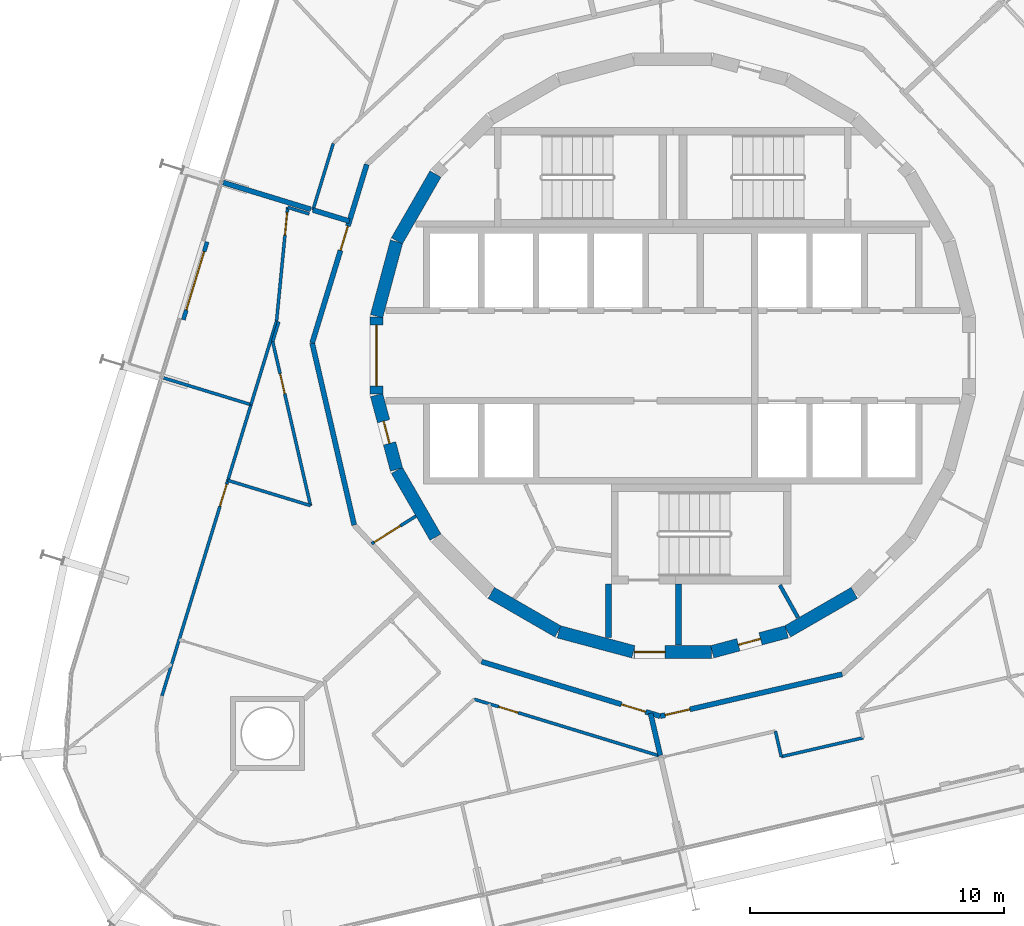
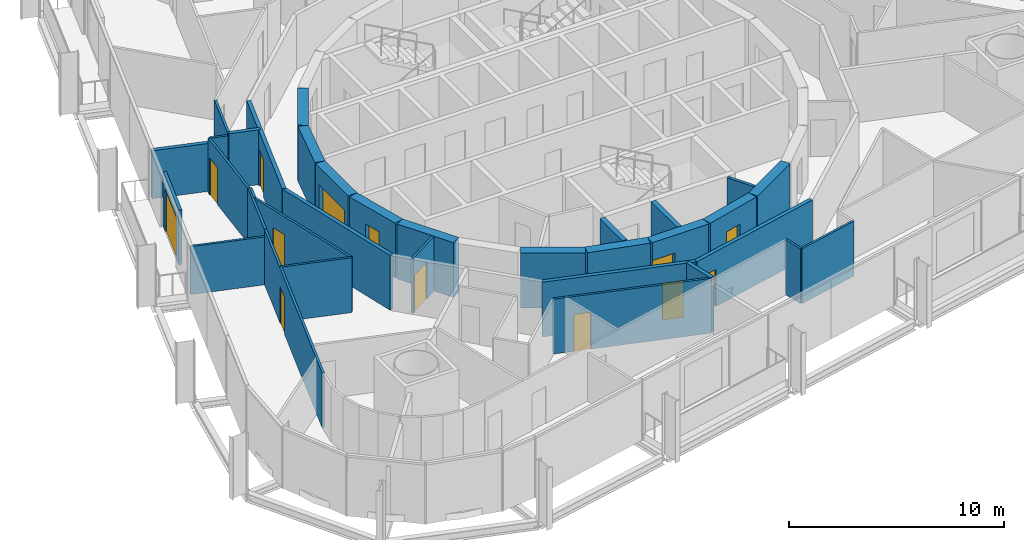
# One storey, part 12 of 18: 34 walls, 13 doors, 13 openings.
"""IFC4 building model written with IfcOpenShell, lengths in metres."""

from ifc_helpers import new_model, si_unit, direction, frame, frame_2d, origin, place, context, subcontext, project, spatial, rectangle, extrude, material, layer, layer_set, type_object, element, fill, save


model = new_model("IFC4")

# Units and contexts
model_context = context("Model", 3, precision=1e-05, world=origin(), true_north=direction((0.0, 1.0)))
body_context = subcontext(model_context, "Body", "Model", "MODEL_VIEW")
ifc_project = project(units=[si_unit("LENGTHUNIT", "METRE"), si_unit("AREAUNIT", "SQUARE_METRE"), si_unit("VOLUMEUNIT", "CUBIC_METRE"), si_unit("PLANEANGLEUNIT", "RADIAN"), si_unit("MASSUNIT", "GRAM", prefix="KILO")], contexts=[model_context])

# Site, building, storey
site_placement = place(None, origin())
site = spatial("IfcSite", under=ifc_project, at=site_placement, CompositionType="ELEMENT")
building_placement = place(site_placement, origin())
building = spatial("IfcBuilding", under=site, at=building_placement, Name="Spindle Arch Residences", CompositionType="ELEMENT")
storey_placement = place(building_placement, frame((0.0, 0.0, 134.39990234375)))
storey = spatial("IfcBuildingStorey", under=building, at=storey_placement, Name="L33", CompositionType="ELEMENT", Elevation=134.39990234375)

# Wall, opening, door
ifc_material_1 = material(Name="Concrete C50/60", Category="concrete")
ifc_layer_1 = layer(ifc_material_1, 0.5)
ifc_layer_set_1 = layer_set([ifc_layer_1], Name="Core outline wall 500")
wall_type_1 = type_object("IfcWallType", Name="Core outline wall 500", PredefinedType="SHEAR", material=ifc_layer_set_1)
wall_1_placement = place(storey_placement, frame((1.5498046875, -11.642822265625, 0.0), z_axis=(0.0, 0.0, 1.0), x_axis=(0.965948410781, 0.258734743916, 0.0)))
wall_1 = element("IfcWall", 1, at=wall_1_placement, inside=storey, type_object=wall_type_1, Name="Core outline wall 1", PredefinedType="SHEAR", context=body_context, shape_type="SweptSolid", body=[
    extrude(rectangle(XDim=3.03271484375, YDim=0.5, at=frame_2d((1.516357421875, 0.0))), origin(), (0.0, 0.0, 1.0), 3.1201171875),
])
opening_1_placement = place(wall_1_placement, frame((1.06640625, 0.0, 0.0)))
opening_1 = element("IfcOpeningElement", 2, at=opening_1_placement, cuts=wall_1, Name="Opening R3C0-WD08", PredefinedType="OPENING", context=body_context, shape_type="SweptSolid", body=[
    extrude(rectangle(XDim=0.89990234375, YDim=2.10009765625, at=frame_2d((0.449951171875, 1.050048828125))), frame((0.0, 0.260009765625, 0.0), z_axis=(0.0, -1.0, 0.0), x_axis=(1.0, 0.0, 0.0)), (0.0, 0.0, 1.0), 0.52001953125),
])
ifc_material_2 = material(Name="Steel, fire-resisting door", Category="steel")
door_type_1 = type_object("IfcDoorType", Name="Service room door 900x2100", OperationType="SINGLE_SWING_LEFT", PredefinedType="DOOR", material=ifc_material_2)
door_1_placement = place(opening_1_placement, origin())
door_1 = element("IfcDoor", 3, at=door_1_placement, inside=storey, type_object=door_type_1, Name="Service room door R3C0-WD08", OperationType="SINGLE_SWING_LEFT", OverallHeight=2.10009765625, OverallWidth=0.89990234375, PredefinedType="DOOR", context=body_context, shape_type="SweptSolid", body=[
    extrude(rectangle(XDim=0.89990234375, YDim=2.10009765625, at=frame_2d((0.449951171875, 1.050048828125))), frame((0.0, 0.02490234375, 0.0), z_axis=(0.0, -1.0, 0.0), x_axis=(1.0, 0.0, 0.0)), (0.0, 0.0, 1.0), 0.050048828125),
])
fill(opening_1, door_1)

# Walls
for number, where, z_axis, x_axis, name in (
    (4, (4.510498046875, -10.84521484375, 0.0), (0.0, 0.0, 1.0), (0.865975092491, 0.500087131594, 0.0), "Core outline wall 2"),
    (5, (-9.32861328125, 7.13671875, 0.0), (0.0, 0.0, 1.0), (-0.500087131594, -0.865975092491, 0.0), "Core outline wall 16"),
    (6, (-10.858154296875, 4.479248046875, 0.0), (0.0, 0.0, 1.0), (-0.258734743916, -0.965948410781, 0.0), "Core outline wall 17"),
):
    element("IfcWall", number, at=place(storey_placement, frame(where, z_axis=z_axis, x_axis=x_axis)), inside=storey, type_object=wall_type_1, Name=name, PredefinedType="SHEAR", context=body_context, shape_type="SweptSolid", body=[
        extrude(rectangle(XDim=3.03271484375, YDim=0.5, at=frame_2d((1.516357421875, 0.0))), origin(), (0.0, 0.0, 1.0), 3.1201171875),
    ])

# Wall, opening, door
wall_2_placement = place(storey_placement, frame((-11.647216796875, 1.516357421875, 0.0), z_axis=(0.0, 0.0, 1.0), x_axis=(0.0, -1.0, 0.0)))
wall_2 = element("IfcWall", 7, at=wall_2_placement, inside=storey, type_object=wall_type_1, Name="Core outline wall 18", PredefinedType="SHEAR", context=body_context, shape_type="SweptSolid", body=[
    extrude(rectangle(XDim=3.03271484375, YDim=0.5, at=frame_2d((1.516357421875, 0.0))), origin(), (0.0, 0.0, 1.0), 3.1201171875),
])
opening_2_placement = place(wall_2_placement, frame((0.31640625, 0.0, 0.0)))
opening_2 = element("IfcOpeningElement", 8, at=opening_2_placement, cuts=wall_2, Name="Opening R3C0-LE01", PredefinedType="OPENING", context=body_context, shape_type="SweptSolid", body=[
    extrude(rectangle(XDim=2.39990234375, YDim=2.10009765625, at=frame_2d((1.199951171875, 1.050048828125))), frame((0.0, 0.260009765625, 0.0), z_axis=(0.0, -1.0, 0.0), x_axis=(1.0, 0.0, 0.0)), (0.0, 0.0, 1.0), 0.52001953125),
])
ifc_material_3 = material(Name="Steel, fire-resisting door", Category="steel")
door_type_2 = type_object("IfcDoorType", Name="Lift lobby entrance door 2400x2100", OperationType="DOUBLE_DOOR_SINGLE_SWING", PredefinedType="DOOR", material=ifc_material_3)
door_2_placement = place(opening_2_placement, origin())
door_2 = element("IfcDoor", 9, at=door_2_placement, inside=storey, type_object=door_type_2, Name="Lift lobby entrance door R3C0-LE01", OperationType="DOUBLE_DOOR_SINGLE_SWING", OverallHeight=2.10009765625, OverallWidth=2.39990234375, PredefinedType="DOOR", context=body_context, shape_type="SweptSolid", body=[
    extrude(rectangle(XDim=2.39990234375, YDim=2.10009765625, at=frame_2d((1.199951171875, 1.050048828125))), frame((0.0, 0.02490234375, 0.0), z_axis=(0.0, -1.0, 0.0), x_axis=(1.0, 0.0, 0.0)), (0.0, 0.0, 1.0), 0.050048828125),
])
fill(opening_2, door_2)

wall_3_placement = place(storey_placement, frame((-11.642822265625, -1.5498046875, 0.0), z_axis=(0.0, 0.0, 1.0), x_axis=(0.258734743916, -0.965948410781, 0.0)))
wall_3 = element("IfcWall", 10, at=wall_3_placement, inside=storey, type_object=wall_type_1, Name="Core outline wall 19", PredefinedType="SHEAR", context=body_context, shape_type="SweptSolid", body=[
    extrude(rectangle(XDim=3.03271484375, YDim=0.5, at=frame_2d((1.516357421875, 0.0))), origin(), (0.0, 0.0, 1.0), 3.1201171875),
])
opening_3_placement = place(wall_3_placement, frame((1.06640625, 0.0, 0.0)))
opening_3 = element("IfcOpeningElement", 11, at=opening_3_placement, cuts=wall_3, Name="Opening R3C0-WD09", PredefinedType="OPENING", context=body_context, shape_type="SweptSolid", body=[
    extrude(rectangle(XDim=0.89990234375, YDim=2.10009765625, at=frame_2d((0.449951171875, 1.050048828125))), frame((0.0, 0.260009765625, 0.0), z_axis=(0.0, -1.0, 0.0), x_axis=(1.0, 0.0, 0.0)), (0.0, 0.0, 1.0), 0.52001953125),
])
door_3_placement = place(opening_3_placement, origin())
door_3 = element("IfcDoor", 12, at=door_3_placement, inside=storey, type_object=door_type_1, Name="Service room door R3C0-WD09", OperationType="SINGLE_SWING_RIGHT", OverallHeight=2.10009765625, OverallWidth=0.89990234375, PredefinedType="DOOR", context=body_context, shape_type="SweptSolid", body=[
    extrude(rectangle(XDim=0.89990234375, YDim=2.10009765625, at=frame_2d((0.449951171875, 1.050048828125))), frame((0.0, 0.02490234375, 0.0), z_axis=(0.0, -1.0, 0.0), x_axis=(1.0, 0.0, 0.0)), (0.0, 0.0, 1.0), 0.050048828125),
])
fill(opening_3, door_3)

# Walls
for number, where, z_axis, x_axis, name in (
    (13, (-10.84521484375, -4.510498046875, 0.0), (0.0, 0.0, 1.0), (0.500087131594, -0.865975092491, 0.0), "Core outline wall 20"),
    (14, (-7.13671875, -9.32861328125, 0.0), (0.0, 0.0, 1.0), (0.865975092491, -0.500087131594, 0.0), "Core outline wall 22"),
    (15, (-4.479248046875, -10.858154296875, 0.0), (0.0, 0.0, 1.0), (0.965948410781, -0.258734743916, 0.0), "Core outline wall 23"),
):
    element("IfcWall", number, at=place(storey_placement, frame(where, z_axis=z_axis, x_axis=x_axis)), inside=storey, type_object=wall_type_1, Name=name, PredefinedType="SHEAR", context=body_context, shape_type="SweptSolid", body=[
        extrude(rectangle(XDim=3.03271484375, YDim=0.5, at=frame_2d((1.516357421875, 0.0))), origin(), (0.0, 0.0, 1.0), 3.1201171875),
    ])

# Wall, opening, door
wall_4_placement = place(storey_placement, frame((-1.516357421875, -11.647216796875, 0.0), z_axis=(0.0, 0.0, 1.0), x_axis=(1.0, 0.0, 0.0)))
wall_4 = element("IfcWall", 16, at=wall_4_placement, inside=storey, type_object=wall_type_1, Name="Core outline wall 24", PredefinedType="SHEAR", context=body_context, shape_type="SweptSolid", body=[
    extrude(rectangle(XDim=3.03271484375, YDim=0.5, at=frame_2d((1.516357421875, 0.0))), origin(), (0.0, 0.0, 1.0), 3.1201171875),
])
opening_4_placement = place(wall_4_placement, frame((0.016357421875, 0.0, 0.0)))
opening_4 = element("IfcOpeningElement", 17, at=opening_4_placement, cuts=wall_4, Name="Opening R3C0-AD03", PredefinedType="OPENING", context=body_context, shape_type="SweptSolid", body=[
    extrude(rectangle(XDim=1.199951171875, YDim=2.10009765625, at=frame_2d((0.60009765625, 1.050048828125))), frame((0.0, 0.260009765625, 0.0), z_axis=(0.0, -1.0, 0.0), x_axis=(1.0, 0.0, 0.0)), (0.0, 0.0, 1.0), 0.52001953125),
])
ifc_material_4 = material(Name="Steel, fire-resisting door", Category="steel")
door_type_3 = type_object("IfcDoorType", Name="Stair airlock door 1200x2100", OperationType="SINGLE_SWING_LEFT", PredefinedType="DOOR", material=ifc_material_4)
door_4_placement = place(opening_4_placement, origin())
door_4 = element("IfcDoor", 18, at=door_4_placement, inside=storey, type_object=door_type_3, Name="Stair airlock door R3C0-AD03", OperationType="SINGLE_SWING_RIGHT", OverallHeight=2.10009765625, OverallWidth=1.199951171875, PredefinedType="DOOR", context=body_context, shape_type="SweptSolid", body=[
    extrude(rectangle(XDim=1.199951171875, YDim=2.10009765625, at=frame_2d((0.60009765625, 1.050048828125))), frame((0.0, 0.02490234375, 0.0), z_axis=(0.0, -1.0, 0.0), x_axis=(1.0, 0.0, 0.0)), (0.0, 0.0, 1.0), 0.050048828125),
])
fill(opening_4, door_4)

ifc_material_5 = material(Name="Plasterboard on steel studs", Category="steel")
ifc_layer_2 = layer(ifc_material_5, 0.1201171875)
ifc_layer_set_2 = layer_set([ifc_layer_2], Name="Corridor division wall 120")
wall_type_2 = type_object("IfcWallType", Name="Corridor division wall 120", PredefinedType="PARTITIONING", material=ifc_layer_set_2)
wall_5_placement = place(storey_placement, frame((-11.835693359375, -7.395751953125, 0.0), z_axis=(0.0, 0.0, 1.0), x_axis=(0.848071831599, 0.529881277692, 0.0)))
wall_5 = element("IfcWall", 19, at=wall_5_placement, inside=storey, type_object=wall_type_2, Name="Corridor division wall R3C0-W003", PredefinedType="PARTITIONING", context=body_context, shape_type="SweptSolid", body=[
    extrude(rectangle(XDim=2.0517578125, YDim=0.1201171875, at=frame_2d((1.02587890625, 0.0))), origin(), (0.0, 0.0, 1.0), 3.1201171875),
])
opening_5_placement = place(wall_5_placement, frame((0.125, 0.0, 0.0)))
opening_5 = element("IfcOpeningElement", 20, at=opening_5_placement, cuts=wall_5, Name="Opening R3C0-CD03", PredefinedType="OPENING", context=body_context, shape_type="SweptSolid", body=[
    extrude(rectangle(XDim=1.199951171875, YDim=2.10009765625, at=frame_2d((0.60009765625, 1.050048828125))), frame((0.0, 0.070068359375, 0.0), z_axis=(0.0, -1.0, 0.0), x_axis=(1.0, 0.0, 0.0)), (0.0, 0.0, 1.0), 0.14013671875),
])
ifc_material_6 = material(Name="Steel, fire-resisting door", Category="steel")
door_type_4 = type_object("IfcDoorType", Name="Corridor division door 1200x2100", OperationType="NOTDEFINED", PredefinedType="DOOR", material=ifc_material_6)
door_5_placement = place(opening_5_placement, origin())
door_5 = element("IfcDoor", 21, at=door_5_placement, inside=storey, type_object=door_type_4, Name="Corridor division door R3C0-CD03", OperationType="DOUBLE_DOOR_SINGLE_SWING", OverallHeight=2.10009765625, OverallWidth=1.199951171875, PredefinedType="DOOR", context=body_context, shape_type="SweptSolid", body=[
    extrude(rectangle(XDim=1.199951171875, YDim=2.10009765625, at=frame_2d((0.60009765625, 1.050048828125))), frame((0.0, 0.02490234375, 0.0), z_axis=(0.0, -1.0, 0.0), x_axis=(1.0, 0.0, 0.0)), (0.0, 0.0, 1.0), 0.050048828125),
])
fill(opening_5, door_5)

ifc_material_7 = material(Name="Calcium silicate block, plastered")
ifc_layer_3 = layer(ifc_material_7, 0.199951171875)
ifc_layer_set_3 = layer_set([ifc_layer_3], Name="Corridor wall 200")
wall_type_3 = type_object("IfcWallType", Name="Corridor wall 200", PredefinedType="STANDARD", material=ifc_layer_set_3)
wall_6_placement = place(storey_placement, frame((-12.028076171875, 7.51611328125, 0.0), z_axis=(0.0, 0.0, 1.0), x_axis=(-0.292365533182, -0.956306642771, 0.0)))
wall_6 = element("IfcWall", 22, at=wall_6_placement, inside=storey, type_object=wall_type_3, Name="Corridor wall R3C0-W010", PredefinedType="STANDARD", context=body_context, shape_type="SweptSolid", body=[
    extrude(rectangle(XDim=7.341796875, YDim=0.199951171875, at=frame_2d((3.6708984375, 0.0))), origin(), (0.0, 0.0, 1.0), 3.1201171875),
])
opening_6_placement = place(wall_6_placement, frame((2.53271484375, 0.0, 0.0)))
opening_6 = element("IfcOpeningElement", 23, at=opening_6_placement, cuts=wall_6, Name="Opening R3C0-FD04", PredefinedType="OPENING", context=body_context, shape_type="SweptSolid", body=[
    extrude(rectangle(XDim=1.0, YDim=2.10009765625, at=frame_2d((0.5, 1.050048828125))), frame((0.0, 0.10986328125, 0.0), z_axis=(0.0, -1.0, 0.0), x_axis=(1.0, 0.0, 0.0)), (0.0, 0.0, 1.0), 0.219970703125),
])
ifc_material_8 = material(Name="Timber, fire-resisting door set", Category="wood")
door_type_5 = type_object("IfcDoorType", Name="Flat entrance door 1000x2100", OperationType="NOTDEFINED", PredefinedType="DOOR", material=ifc_material_8)
door_6_placement = place(opening_6_placement, origin())
door_6 = element("IfcDoor", 24, at=door_6_placement, inside=storey, type_object=door_type_5, Name="Flat entrance door R3C0-FD04", OperationType="SINGLE_SWING_LEFT", OverallHeight=2.10009765625, OverallWidth=1.0, PredefinedType="DOOR", context=body_context, shape_type="SweptSolid", body=[
    extrude(rectangle(XDim=1.0, YDim=2.10009765625, at=frame_2d((0.5, 1.050048828125))), frame((0.0, 0.02490234375, 0.0), z_axis=(0.0, -1.0, 0.0), x_axis=(1.0, 0.0, 0.0)), (0.0, 0.0, 1.0), 0.050048828125),
])
fill(opening_6, door_6)

# Wall
wall_7_placement = place(storey_placement, frame((-14.174560546875, 0.4951171875, 0.0), z_axis=(0.0, 0.0, 1.0), x_axis=(0.224922649383, -0.974376622151, 0.0)))
element("IfcWall", 25, at=wall_7_placement, inside=storey, type_object=wall_type_3, Name="Corridor wall R3C0-W011", PredefinedType="STANDARD", context=body_context, shape_type="SweptSolid", body=[
    extrude(rectangle(XDim=7.342041015625, YDim=0.199951171875, at=frame_2d((3.6708984375, 0.0))), origin(), (0.0, 0.0, 1.0), 3.1201171875),
])

# Wall, opening, door
wall_8_placement = place(storey_placement, frame((-7.51611328125, -12.028076171875, 0.0), z_axis=(0.0, 0.0, 1.0), x_axis=(0.956306642771, -0.292365533182, 0.0)))
wall_8 = element("IfcWall", 26, at=wall_8_placement, inside=storey, type_object=wall_type_3, Name="Corridor wall R3C0-W013", PredefinedType="STANDARD", context=body_context, shape_type="SweptSolid", body=[
    extrude(rectangle(XDim=7.341796875, YDim=0.199951171875, at=frame_2d((3.6708984375, 0.0))), origin(), (0.0, 0.0, 1.0), 3.1201171875),
])
opening_7_placement = place(wall_8_placement, frame((5.7451171875, 0.0, 0.0)))
opening_7 = element("IfcOpeningElement", 27, at=opening_7_placement, cuts=wall_8, Name="Opening R3C0-FD05", PredefinedType="OPENING", context=body_context, shape_type="SweptSolid", body=[
    extrude(rectangle(XDim=1.0, YDim=2.10009765625, at=frame_2d((0.5, 1.050048828125))), frame((0.0, 0.10986328125, 0.0), z_axis=(0.0, -1.0, 0.0), x_axis=(1.0, 0.0, 0.0)), (0.0, 0.0, 1.0), 0.219970703125),
])
door_7_placement = place(opening_7_placement, origin())
door_7 = element("IfcDoor", 28, at=door_7_placement, inside=storey, type_object=door_type_5, Name="Flat entrance door R3C0-FD05", OperationType="SINGLE_SWING_LEFT", OverallHeight=2.10009765625, OverallWidth=1.0, PredefinedType="DOOR", context=body_context, shape_type="SweptSolid", body=[
    extrude(rectangle(XDim=1.0, YDim=2.10009765625, at=frame_2d((0.5, 1.050048828125))), frame((0.0, 0.02490234375, 0.0), z_axis=(0.0, -1.0, 0.0), x_axis=(1.0, 0.0, 0.0)), (0.0, 0.0, 1.0), 0.050048828125),
])
fill(opening_7, door_7)

wall_9_placement = place(storey_placement, frame((-0.4951171875, -14.174560546875, 0.0), z_axis=(0.0, 0.0, 1.0), x_axis=(0.974376622151, 0.224922649383, 0.0)))
wall_9 = element("IfcWall", 29, at=wall_9_placement, inside=storey, type_object=wall_type_3, Name="Corridor wall R3C0-W014", PredefinedType="STANDARD", context=body_context, shape_type="SweptSolid", body=[
    extrude(rectangle(XDim=7.342041015625, YDim=0.199951171875, at=frame_2d((3.6708984375, 0.0))), origin(), (0.0, 0.0, 1.0), 3.1201171875),
])
opening_8_placement = place(wall_9_placement, frame((0.199951171875, 0.0, 0.0)))
opening_8 = element("IfcOpeningElement", 30, at=opening_8_placement, cuts=wall_9, Name="Opening R3C0-FD06", PredefinedType="OPENING", context=body_context, shape_type="SweptSolid", body=[
    extrude(rectangle(XDim=1.0, YDim=2.10009765625, at=frame_2d((0.5, 1.050048828125))), frame((0.0, 0.10986328125, 0.0), z_axis=(0.0, -1.0, 0.0), x_axis=(1.0, 0.0, 0.0)), (0.0, 0.0, 1.0), 0.219970703125),
])
door_8_placement = place(opening_8_placement, origin())
door_8 = element("IfcDoor", 31, at=door_8_placement, inside=storey, type_object=door_type_5, Name="Flat entrance door R3C0-FD06", OperationType="SINGLE_SWING_LEFT", OverallHeight=2.10009765625, OverallWidth=1.0, PredefinedType="DOOR", context=body_context, shape_type="SweptSolid", body=[
    extrude(rectangle(XDim=1.0, YDim=2.10009765625, at=frame_2d((0.5, 1.050048828125))), frame((0.0, 0.02490234375, 0.0), z_axis=(0.0, -1.0, 0.0), x_axis=(1.0, 0.0, 0.0)), (0.0, 0.0, 1.0), 0.050048828125),
])
fill(opening_8, door_8)

# Walls
ifc_material_9 = material(Name="Plasterboard on steel studs", Category="steel")
ifc_layer_4 = layer(ifc_material_9, 0.1201171875)
ifc_layer_set_4 = layer_set([ifc_layer_4], Name="Flat partition 120")
wall_type_4 = type_object("IfcWallType", Name="Flat partition 120", PredefinedType="PARTITIONING", material=ifc_layer_set_4)
wall_10_placement = place(storey_placement, frame((-13.34521484375, 8.3388671875, 0.0), z_axis=(0.0, 0.0, 1.0), x_axis=(-0.292316072367, -0.956321762712, 0.0)))
element("IfcWall", 32, at=wall_10_placement, inside=storey, type_object=wall_type_4, Name="Flat partition R3C0-W063", PredefinedType="PARTITIONING", context=body_context, shape_type="SweptSolid", body=[
    extrude(rectangle(XDim=2.734375, YDim=0.1201171875, at=frame_2d((1.3671875, 0.0))), origin(), (0.0, 0.0, 1.0), 3.1201171875),
])
wall_11_placement = place(storey_placement, frame((-14.287353515625, 5.567626953125, 0.0), z_axis=(0.0, 0.0, 1.0), x_axis=(-0.956287662261, 0.292427609859, 0.0)))
element("IfcWall", 33, at=wall_11_placement, inside=storey, type_object=wall_type_4, Name="Flat partition R3C0-W074", PredefinedType="PARTITIONING", context=body_context, shape_type="SweptSolid", body=[
    extrude(rectangle(XDim=0.889892578125, YDim=0.1201171875, at=frame_2d((0.44482421875, 0.0))), origin(), (0.0, 0.0, 1.0), 3.1201171875),
])

# Wall, opening, door
wall_12_placement = place(storey_placement, frame((-15.138427734375, 5.827880859375, 0.0), z_axis=(0.0, 0.0, 1.0), x_axis=(-0.096967255409, -0.995287572201, 0.0)))
wall_12 = element("IfcWall", 34, at=wall_12_placement, inside=storey, type_object=wall_type_4, Name="Flat partition R3C0-W075", PredefinedType="PARTITIONING", context=body_context, shape_type="SweptSolid", body=[
    extrude(rectangle(XDim=4.4892578125, YDim=0.1201171875, at=frame_2d((2.24462890625, 0.0))), origin(), (0.0, 0.0, 1.0), 3.1201171875),
])
opening_9_placement = place(wall_12_placement, frame((0.199951171875, 0.0, 0.0)))
opening_9 = element("IfcOpeningElement", 35, at=opening_9_placement, cuts=wall_12, Name="Opening R3C0-ID18", PredefinedType="OPENING", context=body_context, shape_type="SweptSolid", body=[
    extrude(rectangle(XDim=0.89990234375, YDim=2.10009765625, at=frame_2d((0.449951171875, 1.050048828125))), frame((0.0, 0.070068359375, 0.0), z_axis=(0.0, -1.0, 0.0), x_axis=(1.0, 0.0, 0.0)), (0.0, 0.0, 1.0), 0.14013671875),
])
ifc_material_10 = material(Name="Timber door set", Category="wood")
door_type_6 = type_object("IfcDoorType", Name="Room door 900x2100", OperationType="NOTDEFINED", PredefinedType="DOOR", material=ifc_material_10)
door_9_placement = place(opening_9_placement, origin())
door_9 = element("IfcDoor", 36, at=door_9_placement, inside=storey, type_object=door_type_6, Name="Room door R3C0-ID18", OperationType="SINGLE_SWING_LEFT", OverallHeight=2.10009765625, OverallWidth=0.89990234375, PredefinedType="DOOR", context=body_context, shape_type="SweptSolid", body=[
    extrude(rectangle(XDim=0.89990234375, YDim=2.10009765625, at=frame_2d((0.449951171875, 1.050048828125))), frame((0.0, 0.02490234375, 0.0), z_axis=(0.0, -1.0, 0.0), x_axis=(1.0, 0.0, 0.0)), (0.0, 0.0, 1.0), 0.050048828125),
])
fill(opening_9, door_9)

# Wall
wall_13_placement = place(storey_placement, frame((-15.48681640625, 1.33349609375, 0.0), z_axis=(0.0, 0.0, 1.0), x_axis=(-0.2923698127, -0.956305334411, 0.0)))
element("IfcWall", 37, at=wall_13_placement, inside=storey, type_object=wall_type_4, Name="Flat partition R3C0-W076", PredefinedType="PARTITIONING", context=body_context, shape_type="SweptSolid", body=[
    extrude(rectangle(XDim=0.820068359375, YDim=0.1201171875, at=frame_2d((0.41015625, 0.0))), origin(), (0.0, 0.0, 1.0), 3.1201171875),
])

# Wall, opening, door
wall_14_placement = place(storey_placement, frame((-15.7265625, 0.54931640625, 0.0), z_axis=(0.0, 0.0, 1.0), x_axis=(0.224948441297, -0.974370668051, 0.0)))
wall_14 = element("IfcWall", 38, at=wall_14_placement, inside=storey, type_object=wall_type_4, Name="Flat partition R3C0-W077", PredefinedType="PARTITIONING", context=body_context, shape_type="SweptSolid", body=[
    extrude(rectangle(XDim=6.6162109375, YDim=0.1201171875, at=frame_2d((3.30810546875, 0.0))), origin(), (0.0, 0.0, 1.0), 3.1201171875),
])
opening_10_placement = place(wall_14_placement, frame((1.300048828125, 0.0, 0.0)))
opening_10 = element("IfcOpeningElement", 39, at=opening_10_placement, cuts=wall_14, Name="Opening R3C0-BD04", PredefinedType="OPENING", context=body_context, shape_type="SweptSolid", body=[
    extrude(rectangle(XDim=0.800048828125, YDim=2.10009765625, at=frame_2d((0.39990234375, 1.050048828125))), frame((0.0, 0.070068359375, 0.0), z_axis=(0.0, -1.0, 0.0), x_axis=(1.0, 0.0, 0.0)), (0.0, 0.0, 1.0), 0.14013671875),
])
ifc_material_11 = material(Name="Timber door set", Category="wood")
door_type_7 = type_object("IfcDoorType", Name="Bathroom door 800x2100", OperationType="NOTDEFINED", PredefinedType="DOOR", material=ifc_material_11)
door_10_placement = place(opening_10_placement, origin())
door_10 = element("IfcDoor", 40, at=door_10_placement, inside=storey, type_object=door_type_7, Name="Bathroom door R3C0-BD04", OperationType="SINGLE_SWING_RIGHT", OverallHeight=2.10009765625, OverallWidth=0.800048828125, PredefinedType="DOOR", context=body_context, shape_type="SweptSolid", body=[
    extrude(rectangle(XDim=0.800048828125, YDim=2.10009765625, at=frame_2d((0.39990234375, 1.050048828125))), frame((0.0, 0.02490234375, 0.0), z_axis=(0.0, -1.0, 0.0), x_axis=(1.0, 0.0, 0.0)), (0.0, 0.0, 1.0), 0.050048828125),
])
fill(opening_10, door_10)

# Wall
wall_15_placement = place(storey_placement, frame((-14.23828125, -5.897216796875, 0.0), z_axis=(0.0, 0.0, 1.0), x_axis=(-0.956314762513, 0.292338972768, 0.0)))
element("IfcWall", 41, at=wall_15_placement, inside=storey, type_object=wall_type_4, Name="Flat partition R3C0-W078", PredefinedType="PARTITIONING", context=body_context, shape_type="SweptSolid", body=[
    extrude(rectangle(XDim=3.39892578125, YDim=0.1201171875, at=frame_2d((1.699462890625, 0.0))), origin(), (0.0, 0.0, 1.0), 3.1201171875),
])

# Wall, opening, door
wall_16_placement = place(storey_placement, frame((-16.5791015625, -1.927978515625, 0.0), z_axis=(0.0, 0.0, 1.0), x_axis=(-0.29236733738, -0.956306091183, 0.0)))
wall_16 = element("IfcWall", 42, at=wall_16_placement, inside=storey, type_object=wall_type_4, Name="Flat partition R3C0-W079", PredefinedType="PARTITIONING", context=body_context, shape_type="SweptSolid", body=[
    extrude(rectangle(XDim=11.962890625, YDim=0.1201171875, at=frame_2d((5.9814453125, 0.0))), origin(), (0.0, 0.0, 1.0), 3.1201171875),
])
opening_11_placement = place(wall_16_placement, frame((3.271484375, 0.0, 0.0)))
opening_11 = element("IfcOpeningElement", 43, at=opening_11_placement, cuts=wall_16, Name="Opening R3C0-ID19", PredefinedType="OPENING", context=body_context, shape_type="SweptSolid", body=[
    extrude(rectangle(XDim=0.89990234375, YDim=2.10009765625, at=frame_2d((0.449951171875, 1.050048828125))), frame((0.0, 0.070068359375, 0.0), z_axis=(0.0, -1.0, 0.0), x_axis=(1.0, 0.0, 0.0)), (0.0, 0.0, 1.0), 0.14013671875),
])
door_11_placement = place(opening_11_placement, origin())
door_11 = element("IfcDoor", 44, at=door_11_placement, inside=storey, type_object=door_type_6, Name="Room door R3C0-ID19", OperationType="SINGLE_SWING_RIGHT", OverallHeight=2.10009765625, OverallWidth=0.89990234375, PredefinedType="DOOR", context=body_context, shape_type="SweptSolid", body=[
    extrude(rectangle(XDim=0.89990234375, YDim=2.10009765625, at=frame_2d((0.449951171875, 1.050048828125))), frame((0.0, 0.02490234375, 0.0), z_axis=(0.0, -1.0, 0.0), x_axis=(1.0, 0.0, 0.0)), (0.0, 0.0, 1.0), 0.050048828125),
])
fill(opening_11, door_11)

# Wall
wall_17_placement = place(storey_placement, frame((-16.5791015625, -1.927978515625, 0.0), z_axis=(0.0, 0.0, 1.0), x_axis=(0.292418780126, 0.956290362301, 0.0)))
element("IfcWall", 45, at=wall_17_placement, inside=storey, type_object=wall_type_4, Name="Flat partition R3C0-W081", PredefinedType="PARTITIONING", context=body_context, shape_type="SweptSolid", body=[
    extrude(rectangle(XDim=3.438232421875, YDim=0.1201171875, at=frame_2d((1.71923828125, 0.0))), origin(), (0.0, 0.0, 1.0), 3.1201171875),
])

# Wall, opening, door
wall_18_placement = place(storey_placement, frame((-7.8037109375, -13.5087890625, 0.0), z_axis=(0.0, 0.0, 1.0), x_axis=(0.956309088343, -0.292357533772, 0.0)))
wall_18 = element("IfcWall", 46, at=wall_18_placement, inside=storey, type_object=wall_type_4, Name="Flat partition R3C0-W093", PredefinedType="PARTITIONING", context=body_context, shape_type="SweptSolid", body=[
    extrude(rectangle(XDim=7.5859375, YDim=0.1201171875, at=frame_2d((3.79296875, 0.0))), origin(), (0.0, 0.0, 1.0), 3.1201171875),
])
opening_12_placement = place(wall_18_placement, frame((1.005615234375, 0.0, 0.0)))
opening_12 = element("IfcOpeningElement", 47, at=opening_12_placement, cuts=wall_18, Name="Opening R3C0-BD05", PredefinedType="OPENING", context=body_context, shape_type="SweptSolid", body=[
    extrude(rectangle(XDim=0.800048828125, YDim=2.10009765625, at=frame_2d((0.39990234375, 1.050048828125))), frame((0.0, 0.070068359375, 0.0), z_axis=(0.0, -1.0, 0.0), x_axis=(1.0, 0.0, 0.0)), (0.0, 0.0, 1.0), 0.14013671875),
])
door_12_placement = place(opening_12_placement, origin())
door_12 = element("IfcDoor", 48, at=door_12_placement, inside=storey, type_object=door_type_7, Name="Bathroom door R3C0-BD05", OperationType="SINGLE_SWING_LEFT", OverallHeight=2.10009765625, OverallWidth=0.800048828125, PredefinedType="DOOR", context=body_context, shape_type="SweptSolid", body=[
    extrude(rectangle(XDim=0.800048828125, YDim=2.10009765625, at=frame_2d((0.39990234375, 1.050048828125))), frame((0.0, 0.02490234375, 0.0), z_axis=(0.0, -1.0, 0.0), x_axis=(1.0, 0.0, 0.0)), (0.0, 0.0, 1.0), 0.050048828125),
])
fill(opening_12, door_12)

# Walls
wall_19_placement = place(storey_placement, frame((4.03369140625, -14.76171875, 0.0), z_axis=(0.0, 0.0, 1.0), x_axis=(0.224859506699, -0.974391195695, 0.0)))
element("IfcWall", 49, at=wall_19_placement, inside=storey, type_object=wall_type_4, Name="Flat partition R3C0-W102", PredefinedType="PARTITIONING", context=body_context, shape_type="SweptSolid", body=[
    extrude(rectangle(XDim=1.029296875, YDim=0.1201171875, at=frame_2d((0.5146484375, 0.0))), origin(), (0.0, 0.0, 1.0), 3.1201171875),
])
wall_20_placement = place(storey_placement, frame((4.26513671875, -15.7646484375, 0.0), z_axis=(0.0, 0.0, 1.0), x_axis=(0.974382467056, 0.22489732745, 0.0)))
element("IfcWall", 50, at=wall_20_placement, inside=storey, type_object=wall_type_4, Name="Flat partition R3C0-W103", PredefinedType="PARTITIONING", context=body_context, shape_type="SweptSolid", body=[
    extrude(rectangle(XDim=3.300048828125, YDim=0.1201171875, at=frame_2d((1.64990234375, 0.0))), origin(), (0.0, 0.0, 1.0), 3.1201171875),
])
ifc_material_12 = material(Name="Plasterboard on steel studs", Category="steel")
ifc_layer_5 = layer(ifc_material_12, 0.1201171875)
ifc_layer_set_5 = layer_set([ifc_layer_5], Name="Flat partition 120 under beam 2730")
wall_type_5 = type_object("IfcWallType", Name="Flat partition 120 under beam 2730", PredefinedType="PARTITIONING", material=ifc_layer_set_5)
wall_21_placement = place(storey_placement, frame((-20.021728515625, -0.87548828125, 0.0), z_axis=(0.0, 0.0, 1.0), x_axis=(0.956306810244, -0.292364985388, 0.0)))
element("IfcWall", 51, at=wall_21_placement, inside=storey, type_object=wall_type_5, Name="Flat partition R3C0-W082", PredefinedType="PARTITIONING", context=body_context, shape_type="SweptSolid", body=[
    extrude(rectangle(XDim=3.599853515625, YDim=0.1201171875, at=frame_2d((1.7998046875, 0.0))), origin(), (0.0, 0.0, 1.0), 2.72998046875),
])
ifc_material_13 = material(Name="Calcium silicate block, plastered")
ifc_layer_6 = layer(ifc_material_13, 0.199951171875)
ifc_layer_set_6 = layer_set([ifc_layer_6], Name="Flat party wall 200")
wall_type_6 = type_object("IfcWallType", Name="Flat party wall 200", PredefinedType="STANDARD", material=ifc_layer_set_6)
wall_22_placement = place(storey_placement, frame((-14.14453125, 5.723876953125, 0.0), z_axis=(0.0, 0.0, 1.0), x_axis=(0.956266872747, -0.292495586439, 0.0)))
element("IfcWall", 52, at=wall_22_placement, inside=storey, type_object=wall_type_6, Name="Flat party wall R3C0-W024", PredefinedType="STANDARD", context=body_context, shape_type="SweptSolid", body=[
    extrude(rectangle(XDim=1.5, YDim=0.199951171875, at=frame_2d((0.75, 0.0))), origin(), (0.0, 0.0, 1.0), 3.1201171875),
])
wall_23_placement = place(storey_placement, frame((-0.492431640625, -15.71337890625, 0.0), z_axis=(0.0, 0.0, 1.0), x_axis=(-0.224974992875, 0.97436453783, 0.0)))
element("IfcWall", 53, at=wall_23_placement, inside=storey, type_object=wall_type_6, Name="Flat party wall R3C0-W029", PredefinedType="STANDARD", context=body_context, shape_type="SweptSolid", body=[
    extrude(rectangle(XDim=1.6982421875, YDim=0.199951171875, at=frame_2d((0.84912109375, 0.0))), origin(), (0.0, 0.0, 1.0), 3.1201171875),
])
ifc_material_14 = material(Name="Calcium silicate block, plastered")
ifc_layer_7 = layer(ifc_material_14, 0.199951171875)
ifc_layer_set_7 = layer_set([ifc_layer_7], Name="Flat party wall 200 under beam 2730")
wall_type_7 = type_object("IfcWallType", Name="Flat party wall 200 under beam 2730", PredefinedType="STANDARD", material=ifc_layer_set_7)
wall_24_placement = place(storey_placement, frame((-17.67431640625, 6.802978515625, 0.0), z_axis=(0.0, 0.0, 1.0), x_axis=(0.956293645939, -0.292408041504, 0.0)))
element("IfcWall", 54, at=wall_24_placement, inside=storey, type_object=wall_type_7, Name="Flat party wall R3C0-W025", PredefinedType="STANDARD", context=body_context, shape_type="SweptSolid", body=[
    extrude(rectangle(XDim=3.600341796875, YDim=0.199951171875, at=frame_2d((1.80029296875, 0.0))), origin(), (0.0, 0.0, 1.0), 2.72998046875),
])

# Wall, opening, door
ifc_material_15 = material(Name="Non-combustible mineral wool insulated aluminium faced external wall (K0)", Category="aluminium")
ifc_layer_8 = layer(ifc_material_15, 0.159912109375)
ifc_layer_set_8 = layer_set([ifc_layer_8], Name="Insulated external wall panel 160")
wall_type_8 = type_object("IfcWallType", Name="Insulated external wall panel 160", PredefinedType="STANDARD", material=ifc_layer_set_8)
wall_25_placement = place(storey_placement, frame((-18.3037109375, 4.470458984375, 0.0), z_axis=(0.0, 0.0, 1.0), x_axis=(-0.292348395078, -0.956311882126, 0.0)))
wall_25 = element("IfcWall", 55, at=wall_25_placement, inside=storey, type_object=wall_type_8, Name="External wall L33 bay 15", PredefinedType="STANDARD", context=body_context, shape_type="SweptSolid", body=[
    extrude(rectangle(XDim=3.2001953125, YDim=0.159912109375, at=frame_2d((1.60009765625, 0.0))), origin(), (0.0, 0.0, 1.0), 3.1201171875),
])
opening_13_placement = place(wall_25_placement, frame((0.39990234375, 0.0, 0.0)))
opening_13 = element("IfcOpeningElement", 56, at=opening_13_placement, cuts=wall_25, Name="Opening BD15", PredefinedType="OPENING", context=body_context, shape_type="SweptSolid", body=[
    extrude(rectangle(XDim=2.39990234375, YDim=2.39990234375, at=frame_2d((1.199951171875, 1.199951171875))), frame((0.0, 0.08984375, 0.0), z_axis=(0.0, -1.0, 0.0), x_axis=(1.0, 0.0, 0.0)), (0.0, 0.0, 1.0), 0.179931640625),
])
ifc_material_16 = material(Name="Bronze aluminium frame, tinted double glazing", Category="aluminium")
door_type_8 = type_object("IfcDoorType", Name="Sliding glazed balcony door 2400x2400", OperationType="DOUBLE_DOOR_SLIDING", PredefinedType="DOOR", material=ifc_material_16)
door_13_placement = place(opening_13_placement, origin())
door_13 = element("IfcDoor", 57, at=door_13_placement, inside=storey, type_object=door_type_8, Name="Balcony door BD15", OperationType="DOUBLE_DOOR_SLIDING", OverallHeight=2.39990234375, OverallWidth=2.39990234375, PredefinedType="DOOR", context=body_context, shape_type="SweptSolid", body=[
    extrude(rectangle(XDim=2.39990234375, YDim=2.39990234375, at=frame_2d((1.199951171875, 1.199951171875))), frame((0.0, 0.02490234375, 0.0), z_axis=(0.0, -1.0, 0.0), x_axis=(1.0, 0.0, 0.0)), (0.0, 0.0, 1.0), 0.050048828125),
])
fill(opening_13, door_13)

# Walls
ifc_material_17 = material(Name="Concrete C25/30", Category="concrete")
ifc_layer_9 = layer(ifc_material_17, 0.14990234375)
ifc_layer_set_9 = layer_set([ifc_layer_9], Name="Service room partition 150")
wall_type_9 = type_object("IfcWallType", Name="Service room partition 150", PredefinedType="PARTITIONING", material=ifc_layer_set_9)
wall_26_placement = place(storey_placement, frame((4.922119140625, -10.295654296875, 0.0), z_axis=(0.0, 0.0, 1.0), x_axis=(-0.48860846254, 0.872503163509, 0.0)))
element("IfcWall", 58, at=wall_26_placement, inside=storey, type_object=wall_type_9, Name="Core service room partition", PredefinedType="PARTITIONING", context=body_context, shape_type="SweptSolid", body=[
    extrude(rectangle(XDim=1.45947265625, YDim=0.14990234375, at=frame_2d((0.729736328125, 0.0))), origin(), (0.0, 0.0, 1.0), 3.1201171875),
])
ifc_material_18 = material(Name="Concrete C40/50", Category="concrete")
ifc_layer_10 = layer(ifc_material_18, 0.25)
ifc_layer_set_10 = layer_set([ifc_layer_10], Name="Stair airlock wall 250")
wall_type_10 = type_object("IfcWallType", Name="Stair airlock wall 250", PredefinedType="SHEAR", material=ifc_layer_set_10)
wall_27_placement = place(storey_placement, frame((-2.52490234375, -8.969970703125, 0.0), z_axis=(0.0, 0.0, 1.0), x_axis=(0.0, -1.0, 0.0)))
element("IfcWall", 59, at=wall_27_placement, inside=storey, type_object=wall_type_10, Name="Stair ST-3 airlock wall W", PredefinedType="SHEAR", context=body_context, shape_type="SweptSolid", body=[
    extrude(rectangle(XDim=2.110107421875, YDim=0.25, at=frame_2d((1.05517578125, 0.0))), origin(), (0.0, 0.0, 1.0), 3.1201171875),
])
wall_28_placement = place(storey_placement, frame((0.22509765625, -8.969970703125, 0.0), z_axis=(0.0, 0.0, 1.0), x_axis=(0.0, -1.0, 0.0)))
element("IfcWall", 60, at=wall_28_placement, inside=storey, type_object=wall_type_10, Name="Stair ST-3 airlock wall E", PredefinedType="SHEAR", context=body_context, shape_type="SweptSolid", body=[
    extrude(rectangle(XDim=2.409912109375, YDim=0.25, at=frame_2d((1.205078125, 0.0))), origin(), (0.0, 0.0, 1.0), 3.1201171875),
])

save(model, "model.ifc")
